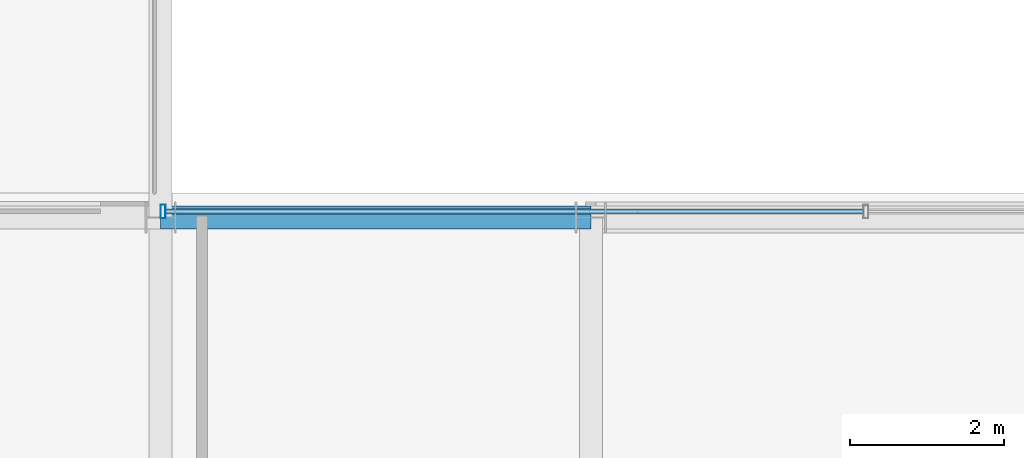
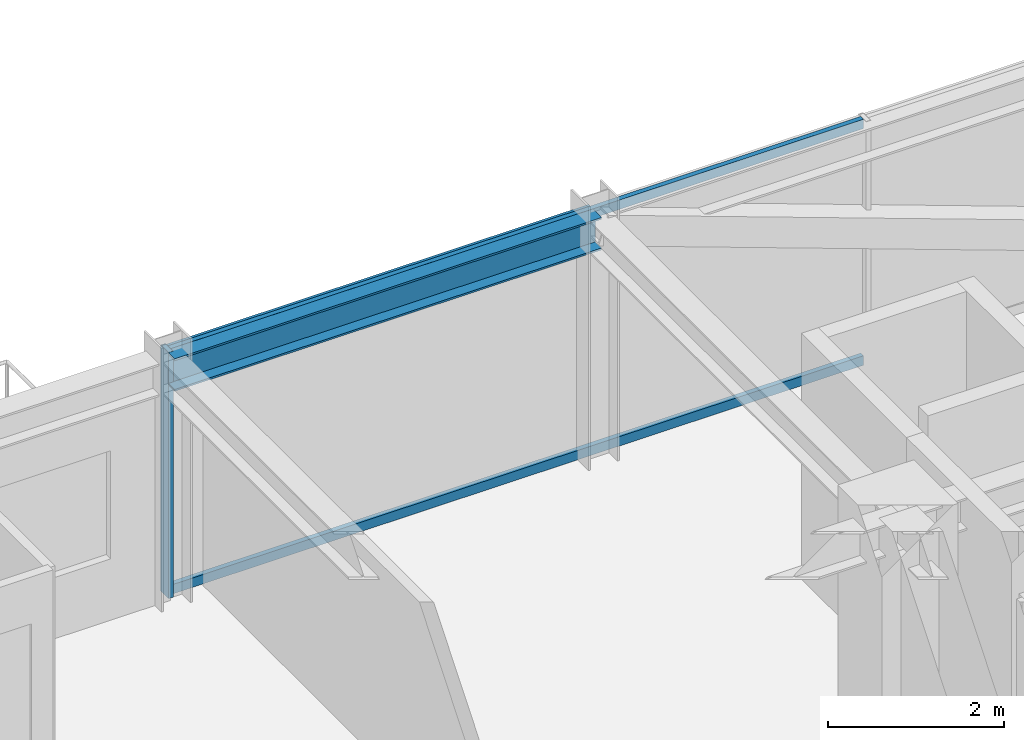
# One storey, part 23 of 43: 3 members, 1 beam, 1 element without a shape of its own.
"""IFC4 building model written with IfcOpenShell, lengths in metres."""

import ifcopenshell
import ifcopenshell.guid

model = None  # the IFC model being written
_history = None  # IfcOwnerHistory: only IFC2X3 demands one
_inside = {}  # id of a spatial element -> (the spatial element, [elements in it])
_under = {}  # id of a project, library or spatial element -> (it, [spatial elements below it])
_declared = {}  # id of a project -> (the project, [libraries it declares])
_typed = {}  # id of a type object -> (the type object, [elements of that type])
_made_of = {}  # id of a material, layer set ... -> (it, [elements and type objects made of it])


def new_model(schema):
    """Start an empty IFC model of exactly this schema.

    Asked for "IFC4X3", IfcOpenShell would pick the latest addendum, in which some entities
    have other attributes; the version numbers below select the first issue.
    IFC2X3 requires an IfcOwnerHistory on every rooted entity: one is made here for all.
    """
    global model, _history
    if schema == "IFC4X3":
        model = ifcopenshell.file(schema_version=(4, 3, 0, 0))
    else:
        model = ifcopenshell.file(schema=schema)
    _inside.clear()
    _under.clear()
    _declared.clear()
    _typed.clear()
    _made_of.clear()
    _history = None
    if model.schema == "IFC2X3":
        org = make("IfcOrganization", Name="unknown")
        user = make(
            "IfcPersonAndOrganization",
            ThePerson=make("IfcPerson", FamilyName="unknown"),
            TheOrganization=org,
        )
        app = make(
            "IfcApplication",
            ApplicationDeveloper=org,
            Version="unknown",
            ApplicationFullName="unknown",
            ApplicationIdentifier="unknown",
        )
        _history = make(
            "IfcOwnerHistory",
            OwningUser=user,
            OwningApplication=app,
            ChangeAction="ADDED",
            CreationDate=0,
        )
    return model


def make(cls, **values):
    """One entity of the class cls with the attributes given. An attribute that is None is left unset."""
    return model.create_entity(
        cls, **{name: value for name, value in values.items() if value is not None}
    )


def rooted(cls, **values):
    """An entity with a GlobalId (a new one), such as an element, a storey or a relation."""
    return make(cls, GlobalId=ifcopenshell.guid.new(), OwnerHistory=_history, **values)


def si_unit(unit_type, name, prefix=None):
    """IfcSIUnit, for example si_unit("LENGTHUNIT", "METRE", prefix="MILLI")."""
    return make("IfcSIUnit", UnitType=unit_type, Prefix=prefix, Name=name)


def assignment(units):
    """IfcUnitAssignment: the units of a project."""
    return None if units is None else make("IfcUnitAssignment", Units=units)


def point(xyz):
    """IfcCartesianPoint."""
    return None if xyz is None else make("IfcCartesianPoint", Coordinates=xyz)


def direction(xyz):
    """IfcDirection."""
    return None if xyz is None else make("IfcDirection", DirectionRatios=xyz)


def frame(location, z_axis=None, x_axis=None):
    """IfcAxis2Placement3D, a coordinate frame: its origin and axes. An axis left out is left unset."""
    return make(
        "IfcAxis2Placement3D",
        Location=point(location),
        Axis=direction(z_axis),
        RefDirection=direction(x_axis),
    )


def frame_2d(location, x_axis=None):
    """IfcAxis2Placement2D, a coordinate frame in the plane: its origin and x axis."""
    return make(
        "IfcAxis2Placement2D", Location=point(location), RefDirection=direction(x_axis)
    )


def origin():
    """The frame at (0, 0, 0) with its axes left unset."""
    return frame((0.0, 0.0, 0.0))


def origin_2d():
    """The frame at (0, 0) in the plane with its x axis left unset."""
    return frame_2d((0.0, 0.0))


def place(relative_to, where):
    """IfcLocalPlacement: puts the frame where relative to a parent placement (None: the world)."""
    return make(
        "IfcLocalPlacement", PlacementRelTo=relative_to, RelativePlacement=where
    )


def context(
    kind, dimensions, precision=None, world=None, true_north=None, identifier=None
):
    """IfcGeometricRepresentationContext, for example the 3D "Model" context."""
    return make(
        "IfcGeometricRepresentationContext",
        ContextIdentifier=identifier,
        ContextType=kind,
        CoordinateSpaceDimension=dimensions,
        Precision=precision,
        WorldCoordinateSystem=world,
        TrueNorth=true_north,
    )


def subcontext(parent, identifier, kind, view, scale=None):
    """IfcGeometricRepresentationSubContext, for example "Body" below "Model"."""
    return make(
        "IfcGeometricRepresentationSubContext",
        ContextIdentifier=identifier,
        ContextType=kind,
        ParentContext=parent,
        TargetScale=scale,
        TargetView=view,
    )


def project(units=None, contexts=None):
    """IfcProject with its units and contexts."""
    return rooted(
        "IfcProject",
        Name="project",
        RepresentationContexts=contexts,
        UnitsInContext=assignment(units),
    )


def spatial(cls, under=None, at=None, **own):
    """A site, building, storey or space (cls), placed at a placement, below another one or the project."""
    s = rooted(cls, ObjectPlacement=at, **own)
    if under is not None:
        _under.setdefault(under.id(), (under, []))[1].append(s)
    return s


def profile(cls, at=None, kind="AREA", **sizes):
    """A parametric profile (cls). Its sizes go by their IFC names, for example OverallWidth=200.0."""
    return make(cls, ProfileType=kind, Position=at, **sizes)


def hollow_rectangle(**sizes):
    """IfcRectangleHollowProfileDef."""
    return profile("IfcRectangleHollowProfileDef", **sizes)


def i_section(**sizes):
    """IfcIShapeProfileDef."""
    return profile("IfcIShapeProfileDef", **sizes)


def extrude(swept, where, along, depth):
    """IfcExtrudedAreaSolid: the profile swept, set in the frame where, extruded along a direction by depth."""
    return make(
        "IfcExtrudedAreaSolid",
        SweptArea=swept,
        Position=where,
        ExtrudedDirection=direction(along),
        Depth=depth,
    )


def shape(context_of_items, identifier, shape_type, items):
    """IfcShapeRepresentation: the items that make up one representation, for example the "Body"."""
    return make(
        "IfcShapeRepresentation",
        ContextOfItems=context_of_items,
        RepresentationIdentifier=identifier,
        RepresentationType=shape_type,
        Items=items,
    )


def source(mapping_origin, context_of_items, identifier, shape_type, items):
    """IfcRepresentationMap: a shape defined once, which mapped items show again and again."""
    return make(
        "IfcRepresentationMap",
        MappingOrigin=mapping_origin,
        MappedRepresentation=shape(context_of_items, identifier, shape_type, items),
    )


def transform(
    local_origin,
    x_axis=None,
    y_axis=None,
    z_axis=None,
    scale=None,
    scale2=None,
    scale3=None,
    uniform=True,
):
    """IfcCartesianTransformationOperator3D, or its non-uniform kind. x_axis, y_axis, z_axis: its Axis1, 2, 3."""
    if uniform:
        return make(
            "IfcCartesianTransformationOperator3D",
            Axis1=direction(x_axis),
            Axis2=direction(y_axis),
            LocalOrigin=point(local_origin),
            Scale=scale,
            Axis3=direction(z_axis),
        )
    return make(
        "IfcCartesianTransformationOperator3DnonUniform",
        Axis1=direction(x_axis),
        Axis2=direction(y_axis),
        LocalOrigin=point(local_origin),
        Scale=scale,
        Axis3=direction(z_axis),
        Scale2=scale2,
        Scale3=scale3,
    )


def mapped(mapping_source, mapping_target):
    """IfcMappedItem: shows the shape of a source again, moved by a transform."""
    return make(
        "IfcMappedItem", MappingSource=mapping_source, MappingTarget=mapping_target
    )


def material(Name=None, Category=None):
    """IfcMaterial."""
    return make("IfcMaterial", Name=Name, Category=Category)


def material_profile(
    of_material, cross_section, Name=None, Category=None, Priority=None
):
    """IfcMaterialProfile: a cross section and its material."""
    return make(
        "IfcMaterialProfile",
        Name=Name,
        Material=of_material,
        Profile=cross_section,
        Priority=Priority,
        Category=Category,
    )


def profile_set(profiles, Name=None, composite=None):
    """IfcMaterialProfileSet."""
    return make(
        "IfcMaterialProfileSet",
        Name=Name,
        MaterialProfiles=profiles,
        CompositeProfile=composite,
    )


def made_of(thing, what):
    """Note that an element or type object is made of a material, layer set ...; save() writes the relation."""
    if what is not None:
        _made_of.setdefault(what.id(), (what, []))[1].append(thing)
    return thing


def type_object(cls, material=None, **own):
    """A type object (cls), such as IfcWallType, which elements share."""
    return made_of(rooted(cls, **own), material)


def element(
    cls,
    number,
    at=None,
    inside=None,
    cuts=None,
    type_object=None,
    material=None,
    context=None,
    identifier="Body",
    shape_type=None,
    held_by="IfcProductDefinitionShape",
    body=None,
    shapes=None,
    **own,
):
    """One element of the class cls, such as IfcWall. Its Tag is "e" and its number.

    at: its placement. inside: the storey or other place that contains it. cuts: it is an
    opening in that element (IfcRelVoidsElement). A single representation is given by context,
    identifier, shape_type and body (its items); several are given by shapes. held_by: the class
    of the entity that holds the representations. save() writes the other relations.
    """
    e = rooted(cls, Tag="e%d" % number, ObjectPlacement=at, **own)
    if body is not None:
        shapes = [shape(context, identifier, shape_type, body)]
    if shapes is not None:
        e.Representation = make(held_by, Representations=shapes)
    if inside is not None:
        _inside.setdefault(inside.id(), (inside, []))[1].append(e)
    if cuts is not None:
        rooted(
            "IfcRelVoidsElement", RelatingBuildingElement=cuts, RelatedOpeningElement=e
        )
    if type_object is not None:
        _typed.setdefault(type_object.id(), (type_object, []))[1].append(e)
    return made_of(e, material)


def aggregate(whole, parts):
    """IfcRelAggregates: a whole, such as a stair, and the parts it consists of."""
    return rooted("IfcRelAggregates", RelatingObject=whole, RelatedObjects=parts)


def save(model, path):
    """Write the relations noted so far, then the file.

    IfcRelAggregates (storeys below a building ...), IfcRelContainedInSpatialStructure (elements
    in a storey), IfcRelDefinesByType, IfcRelAssociatesMaterial and IfcRelDeclares: one each for
    every whole, place, type object, material and project.
    """
    for whole, parts in _under.values():
        aggregate(whole, parts)
    for where, things in _inside.values():
        rooted(
            "IfcRelContainedInSpatialStructure",
            RelatedElements=things,
            RelatingStructure=where,
        )
    for kind, things in _typed.values():
        rooted("IfcRelDefinesByType", RelatedObjects=things, RelatingType=kind)
    for what, things in _made_of.values():
        rooted("IfcRelAssociatesMaterial", RelatedObjects=things, RelatingMaterial=what)
    for by, libraries in _declared.values():
        rooted("IfcRelDeclares", RelatingContext=by, RelatedDefinitions=libraries)
    model.write(path)


model = new_model("IFC4")

# Units and contexts
model_context = context("Model", 3, precision=1e-05, world=origin(), true_north=direction((0.0, 1.0)))
body_context = subcontext(model_context, "Body", "Model", "MODEL_VIEW")
ifc_project = project(units=[si_unit("LENGTHUNIT", "METRE"), si_unit("AREAUNIT", "SQUARE_METRE"), si_unit("VOLUMEUNIT", "CUBIC_METRE"), si_unit("PLANEANGLEUNIT", "RADIAN"), si_unit("MASSUNIT", "GRAM", prefix="KILO")], contexts=[model_context])

# Site, building, storey
site_placement = place(None, origin())
site = spatial("IfcSite", under=ifc_project, at=site_placement, CompositionType="ELEMENT")
building_placement = place(site_placement, origin())
building = spatial("IfcBuilding", under=site, at=building_placement, Name="Nahalor Promenade Grand Hotel", CompositionType="ELEMENT")
storey_placement = place(building_placement, frame((0.0, 0.0, 204.89990234375)))
storey = spatial("IfcBuildingStorey", under=building, at=storey_placement, Name="L52", CompositionType="ELEMENT", Elevation=204.89990234375)

# Beam
ifc_material_1 = material(Name="Steel S355JR", Category="steel")
ifc_material_profile_1 = material_profile(ifc_material_1, i_section(OverallWidth=0.3, OverallDepth=0.45, WebThickness=0.014, FlangeThickness=0.026, at=origin_2d()), Name="HEB 450")
ifc_profile_set_1 = profile_set([ifc_material_profile_1], Name="Steel S355JR")
beam_type = type_object("IfcBeamType", Name="Beam-Spandrel-HEB450", PredefinedType="SPANDREL", material=ifc_profile_set_1)
shared_shape_1 = source(origin(), body_context, "Body", "SweptSolid", [
    extrude(i_section(OverallWidth=0.3, OverallDepth=0.45, WebThickness=0.014, FlangeThickness=0.026, at=origin_2d()), origin(), (0.0, 0.0, 1.0), 5.599853515625),
])
beam_placement = place(storey_placement, frame((2.800048828125, 23.8798828125, 3.18505859375), z_axis=(1.0, 0.0, 0.0), x_axis=(0.0, 1.0, 0.0)))
element("IfcBeam", 1, at=beam_placement, inside=storey, type_object=beam_type, Name="BM-L52-SP-N-3", PredefinedType="SPANDREL", context=body_context, shape_type="MappedRepresentation", body=[
    mapped(shared_shape_1, transform((0.0, 0.0, 0.0), scale=1.0)),
])

# Curtain wall, members
ifc_material_2 = material(Name="Anodised Bronze Aluminium EN AW-6063 T6", Category="aluminium")
curtain_wall_type = type_object("IfcCurtainWallType", Name="CW2 Typical Hotel Flush Bronze Unitised Curtain Wall", PredefinedType="USERDEFINED", material=ifc_material_2)
curtain_wall_placement = place(storey_placement, origin())
curtain_wall = element("IfcCurtainWall", 2, at=curtain_wall_placement, inside=storey, type_object=curtain_wall_type, Name="L52 Curtain Wall CW-L52-N-3", ObjectType="UNITISED_CURTAIN_WALL", PredefinedType="USERDEFINED")
ifc_material_profile_2 = material_profile(ifc_material_2, hollow_rectangle(XDim=0.065, YDim=0.18, WallThickness=0.004, at=origin_2d()), Name="CWM 65x180x4")
ifc_profile_set_2 = profile_set([ifc_material_profile_2], Name="Anodised Bronze Aluminium EN AW-6063 T6")
member_type_1 = type_object("IfcMemberType", Name="CWM2 Typical Bronze Mullion 65x180", PredefinedType="MULLION", material=ifc_profile_set_2)
shared_shape_2 = source(origin(), body_context, "Body", "SweptSolid", [
    extrude(hollow_rectangle(XDim=0.065, YDim=0.18, WallThickness=0.004, at=origin_2d()), origin(), (0.0, 0.0, 1.0), 3.41015625),
])
member_1_placement = place(storey_placement, frame((2.83251953125, 23.9599609375, 0.0), z_axis=(0.0, 0.0, 1.0), x_axis=(1.0, 0.0, 0.0)))
member_1 = element("IfcMember", 3, at=member_1_placement, type_object=member_type_1, Name="CW-L52-N-3 Mullion 0", PredefinedType="MULLION", context=body_context, shape_type="MappedRepresentation", body=[
    mapped(shared_shape_2, transform((0.0, 0.0, 0.0), scale=1.0)),
])
ifc_material_profile_3 = material_profile(ifc_material_2, hollow_rectangle(XDim=0.065, YDim=0.13, WallThickness=0.004, at=origin_2d()), Name="CWT 65x130x4")
ifc_profile_set_3 = profile_set([ifc_material_profile_3], Name="Anodised Bronze Aluminium EN AW-6063 T6")
member_type_2 = type_object("IfcMemberType", Name="CWT2 Typical Bronze Transom 65x130", PredefinedType="USERDEFINED", material=ifc_profile_set_3)
shared_shape_3 = source(origin(), body_context, "Body", "SweptSolid", [
    extrude(hollow_rectangle(XDim=0.065, YDim=0.13, WallThickness=0.004, at=origin_2d()), origin(), (0.0, 0.0, 1.0), 9.08251953125),
])
member_2_placement = place(storey_placement, frame((2.864990234375, 23.9599609375, 0.065185546875), z_axis=(1.0, 0.0, 0.0), x_axis=(0.0, 1.0, 0.0)))
member_2 = element("IfcMember", 4, at=member_2_placement, type_object=member_type_2, Name="CW-L52-N-3 Transom 0-0", ObjectType="TRANSOM", PredefinedType="USERDEFINED", context=body_context, shape_type="MappedRepresentation", body=[
    mapped(shared_shape_3, transform((0.0, 0.0, 0.0), scale=1.0)),
])
member_3_placement = place(storey_placement, frame((2.864990234375, 23.9599609375, 3.34521484375), z_axis=(1.0, 0.0, 0.0), x_axis=(0.0, 1.0, 0.0)))
member_3 = element("IfcMember", 5, at=member_3_placement, type_object=member_type_2, Name="CW-L52-N-3 Transom 0-1", ObjectType="TRANSOM", PredefinedType="USERDEFINED", context=body_context, shape_type="MappedRepresentation", body=[
    mapped(shared_shape_3, transform((0.0, 0.0, 0.0), scale=1.0)),
])
aggregate(curtain_wall, [member_1, member_2, member_3])

save(model, "model.ifc")
